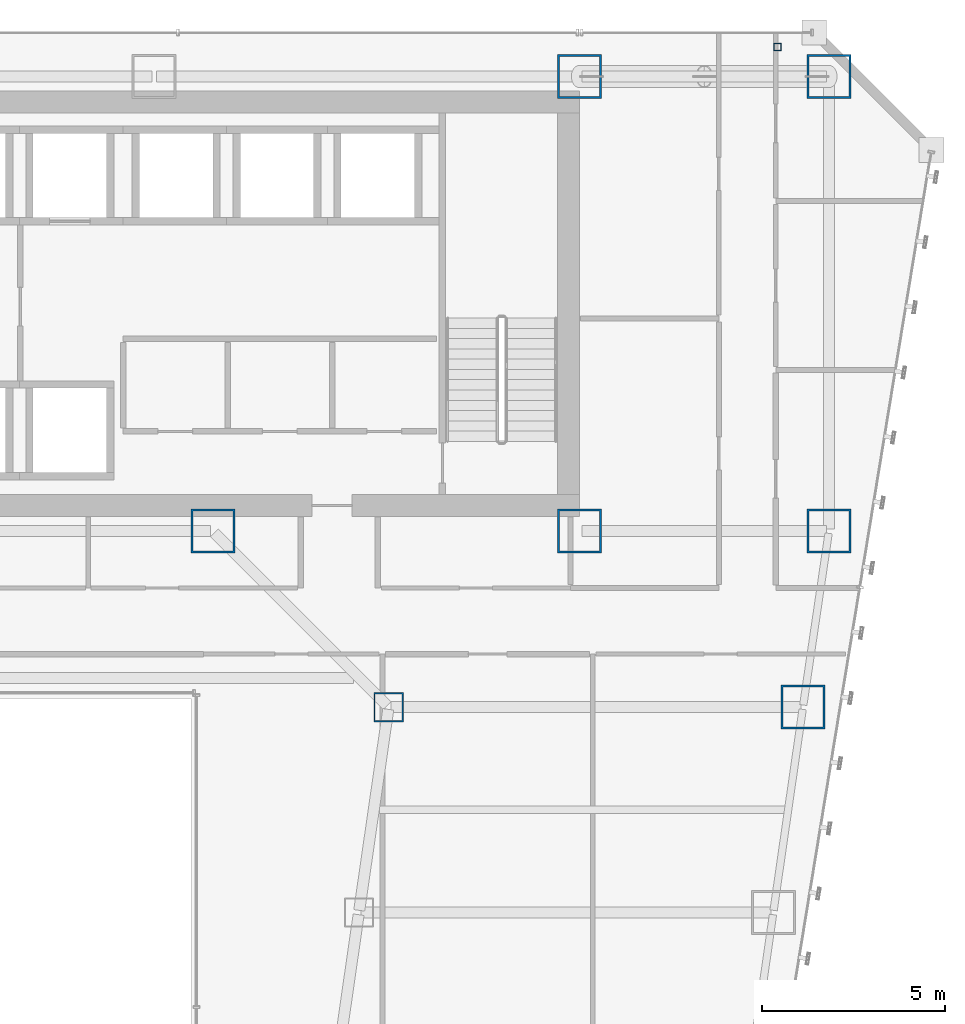
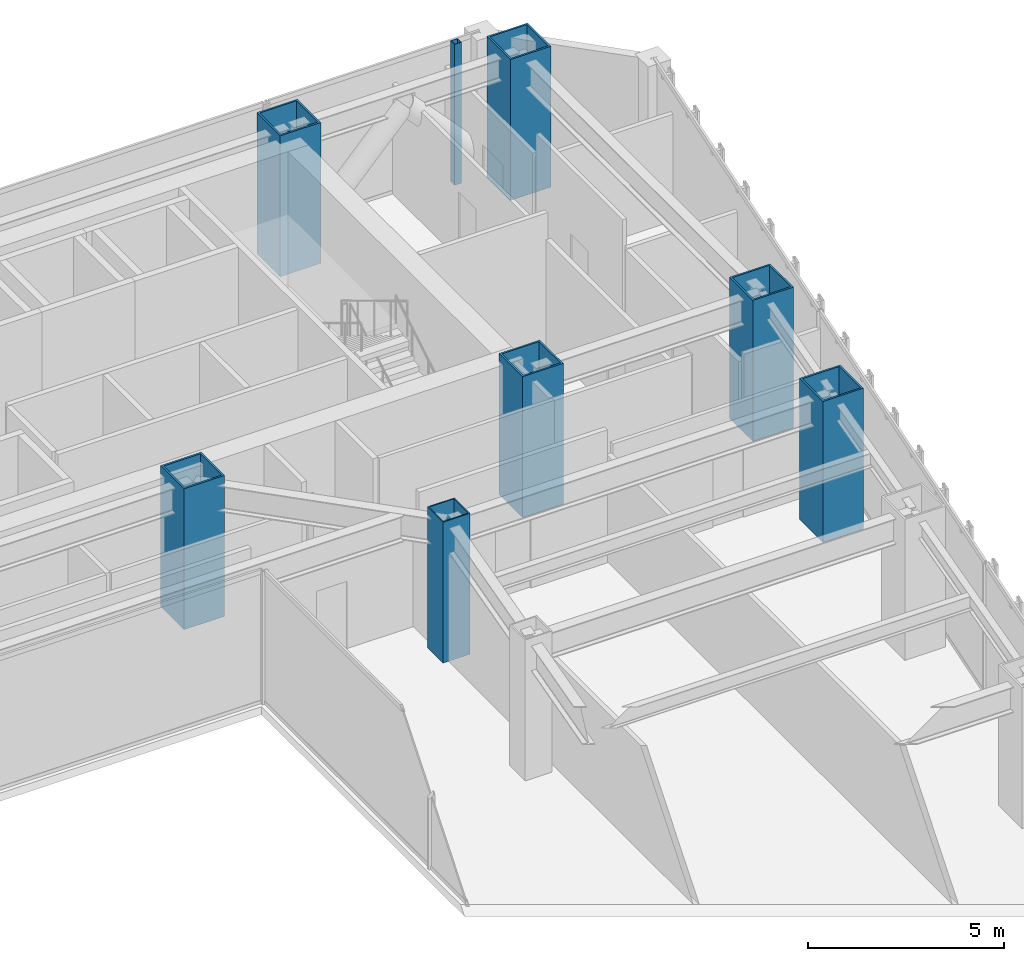
# One storey, part 3 of 47: 8 columns.
"""IFC4 building model written with IfcOpenShell, lengths in metres."""

from ifc_helpers import new_model, si_unit, direction, frame, origin, origin_2d, place, context, subcontext, project, spatial, hollow_rectangle, extrude, material, material_profile, profile_set, type_object, element, save


model = new_model("IFC4")

# Units and contexts
model_context = context("Model", 3, precision=1e-05, world=origin(), true_north=direction((0.0, 1.0)))
body_context = subcontext(model_context, "Body", "Model", "MODEL_VIEW")
ifc_project = project(units=[si_unit("LENGTHUNIT", "METRE"), si_unit("AREAUNIT", "SQUARE_METRE"), si_unit("VOLUMEUNIT", "CUBIC_METRE"), si_unit("PLANEANGLEUNIT", "RADIAN"), si_unit("MASSUNIT", "GRAM", prefix="KILO")], contexts=[model_context])

# Site, building, storey
site_placement = place(None, origin())
site = spatial("IfcSite", under=ifc_project, at=site_placement, CompositionType="ELEMENT")
building_placement = place(site_placement, origin())
building = spatial("IfcBuilding", under=site, at=building_placement, Name="Saevonmaru Cultural Tower", CompositionType="ELEMENT")
storey_placement = place(building_placement, frame((0.0, 0.0, 69.199951171875)))
storey = spatial("IfcBuildingStorey", under=building, at=storey_placement, Name="L14", CompositionType="ELEMENT", Elevation=69.199951171875)

# Columns
ifc_material_1 = material(Name="Steel HSA600 (600 MPa)", Category="steel")
ifc_material_profile_1 = material_profile(ifc_material_1, hollow_rectangle(XDim=1.199951171875, YDim=1.199951171875, WallThickness=0.054931640625, at=origin_2d()), Name="BOX-1200x1200x55")
ifc_profile_set_1 = profile_set([ifc_material_profile_1], Name="Steel HSA600 (600 MPa)")
column_type_1 = type_object("IfcColumnType", Name="COL-BOX-1200", PredefinedType="COLUMN", material=ifc_profile_set_1)
for number, where, z_axis, x_axis, name in (
    (1, (46.39990234375, 54.800048828125, 0.0), (0.0, 0.0, 1.0), (1.0, 0.0, 0.0), "L14 Column TC-N5N"),
    (2, (53.199951171875, 54.800048828125, 0.0), (0.0, 0.0, 1.0), (1.0, 0.0, 0.0), "L14 Column TC-N6N"),
    (3, (36.39990234375, 42.39990234375, 0.0), (0.0, 0.0, 1.0), (1.0, 0.0, 0.0), "L14 Column TC-S4C"),
    (4, (46.39990234375, 42.39990234375, 0.0), (0.0, 0.0, 1.0), (1.0, 0.0, 0.0), "L14 Column TC-S5C"),
    (5, (53.199951171875, 42.39990234375, 0.0), (0.0, 0.0, 1.0), (1.0, 0.0, 0.0), "L14 Column TC-S6C"),
    (6, (52.491943359375, 37.60009765625, 0.0), (0.0, 0.0, 1.0), (1.0, 0.0, 0.0), "L14 Column TC-EO-Y376"),
):
    element("IfcColumn", number, at=place(storey_placement, frame(where, z_axis=z_axis, x_axis=x_axis)), inside=storey, type_object=column_type_1, Name=name, PredefinedType="COLUMN", context=body_context, shape_type="SweptSolid", body=[
        extrude(hollow_rectangle(XDim=1.199951171875, YDim=1.199951171875, WallThickness=0.054931640625, at=origin_2d()), origin(), (0.0, 0.0, 1.0), 4.400146484375),
    ])
ifc_material_2 = material(Name="Steel SM420", Category="steel")
ifc_material_profile_2 = material_profile(ifc_material_2, hollow_rectangle(XDim=0.800048828125, YDim=0.800048828125, WallThickness=0.035888671875, at=origin_2d()), Name="BOX-800x800x36")
ifc_profile_set_2 = profile_set([ifc_material_profile_2], Name="Steel SM420")
column_type_2 = type_object("IfcColumnType", Name="COL-BOX-800", PredefinedType="COLUMN", material=ifc_profile_set_2)
column_1_placement = place(storey_placement, frame((41.19189453125, 37.60009765625, 0.0), z_axis=(0.0, 0.0, 1.0), x_axis=(1.0, 0.0, 0.0)))
element("IfcColumn", 7, at=column_1_placement, inside=storey, type_object=column_type_2, Name="L14 Column TC-EI-Y376", PredefinedType="COLUMN", context=body_context, shape_type="SweptSolid", body=[
    extrude(hollow_rectangle(XDim=0.800048828125, YDim=0.800048828125, WallThickness=0.035888671875, at=origin_2d()), origin(), (0.0, 0.0, 1.0), 4.400146484375),
])
ifc_material_3 = material(Name="Steel SM355", Category="steel")
ifc_material_profile_3 = material_profile(ifc_material_3, hollow_rectangle(XDim=0.199951171875, YDim=0.199951171875, WallThickness=0.010009765625, at=origin_2d()), Name="SHS-200x200x10")
ifc_profile_set_3 = profile_set([ifc_material_profile_3], Name="Steel SM355")
column_type_3 = type_object("IfcColumnType", Name="PIL-SHS-200", PredefinedType="PILASTER", material=ifc_profile_set_3)
column_2_placement = place(storey_placement, frame((51.800048828125, 55.60009765625, 0.0), z_axis=(0.0, 0.0, 1.0), x_axis=(1.0, 0.0, 0.0)))
element("IfcColumn", 8, at=column_2_placement, inside=storey, type_object=column_type_3, Name="L14 Art Deco Bronze-Clad Pilaster PIL-NE", PredefinedType="PILASTER", context=body_context, shape_type="SweptSolid", body=[
    extrude(hollow_rectangle(XDim=0.199951171875, YDim=0.199951171875, WallThickness=0.010009765625, at=origin_2d()), origin(), (0.0, 0.0, 1.0), 4.400146484375),
])

save(model, "model.ifc")
